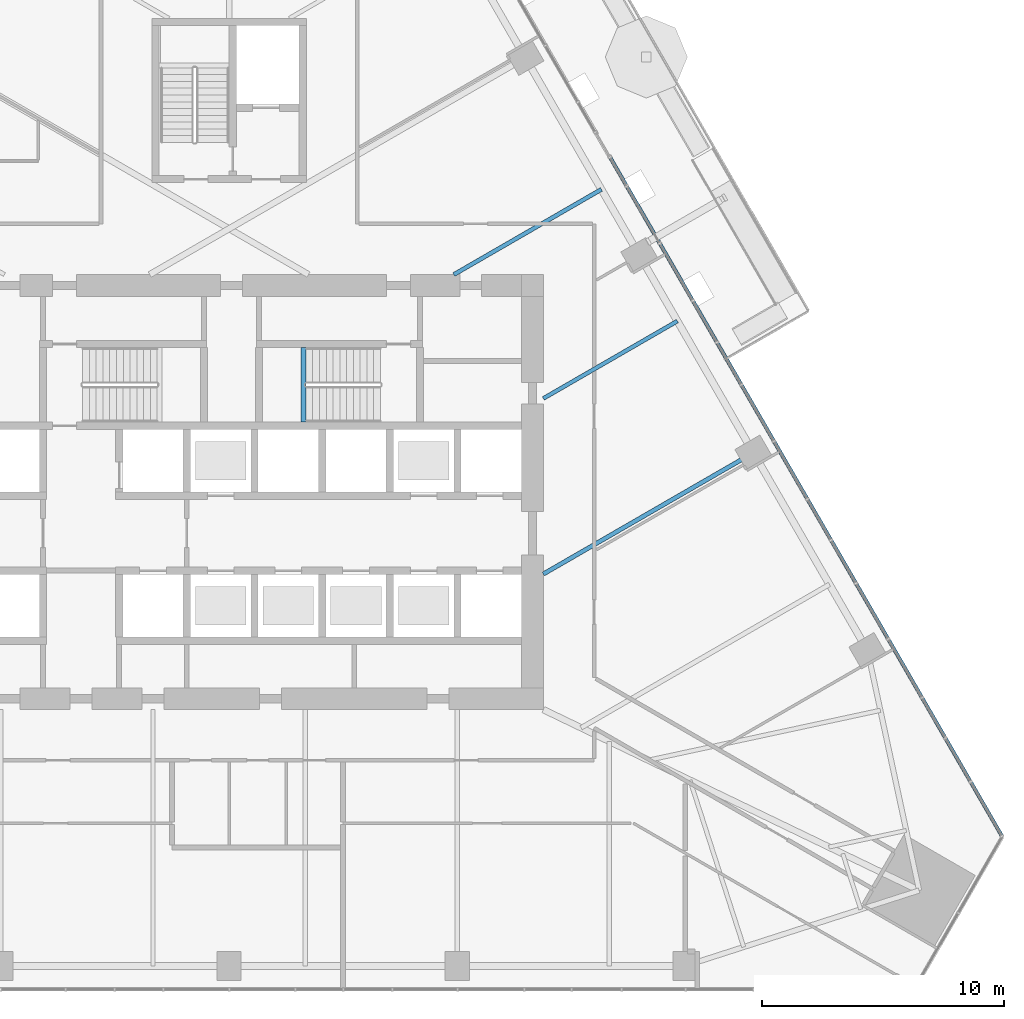
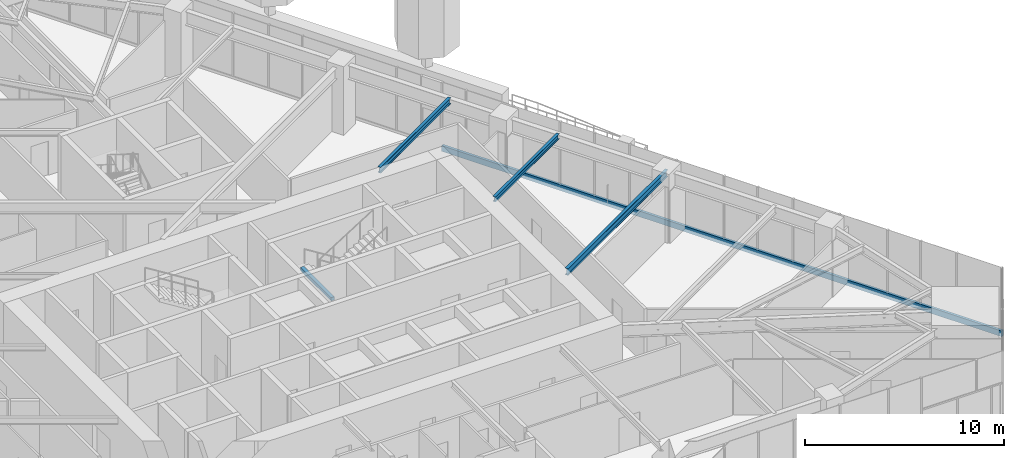
# One storey, part 7 of 25: 4 beams, 1 member, 1 element without a shape of its own.
"""IFC4 building model written with IfcOpenShell, lengths in metres."""

from ifc_helpers import new_model, si_unit, direction, frame, origin, origin_2d, place, context, subcontext, project, spatial, rectangle, i_section, extrude, material, layer, layer_set, material_profile, profile_set, type_object, element, aggregate, save


model = new_model("IFC4")

# Units and contexts
model_context = context("Model", 3, precision=1e-05, world=origin(), true_north=direction((0.0, 1.0)))
body_context = subcontext(model_context, "Body", "Model", "MODEL_VIEW")
ifc_project = project(units=[si_unit("LENGTHUNIT", "METRE"), si_unit("AREAUNIT", "SQUARE_METRE"), si_unit("VOLUMEUNIT", "CUBIC_METRE"), si_unit("PLANEANGLEUNIT", "RADIAN"), si_unit("MASSUNIT", "GRAM", prefix="KILO")], contexts=[model_context])

# Site, building, storey
site_placement = place(None, origin())
site = spatial("IfcSite", under=ifc_project, at=site_placement, CompositionType="ELEMENT")
building_placement = place(site_placement, origin())
building = spatial("IfcBuilding", under=site, at=building_placement, Name="Firuza Gate Tower and Library", CompositionType="ELEMENT")
storey_placement = place(building_placement, frame((0.0, 0.0, 86.199951171875)))
storey = spatial("IfcBuildingStorey", under=building, at=storey_placement, Name="L19", CompositionType="ELEMENT", Elevation=86.199951171875)

# Curtain wall, member
ifc_material_1 = material(Name="Aluminium 6063-T6", Category="aluminium")
ifc_layer = layer(ifc_material_1, 0.14990234375)
ifc_layer_set = layer_set([ifc_layer], Name="Unitised curtain wall, offices")
curtain_wall_type = type_object("IfcCurtainWallType", Name="Unitised curtain wall, offices", PredefinedType="NOTDEFINED", material=ifc_layer_set)
curtain_wall_placement = place(storey_placement, origin())
curtain_wall = element("IfcCurtainWall", 1, at=curtain_wall_placement, inside=storey, type_object=curtain_wall_type, Name="CW1 L19 E face", PredefinedType="NOTDEFINED")
ifc_material_2 = material(Name="Aluminium 6063-T6", Category="aluminium")
ifc_material_profile_1 = material_profile(ifc_material_2, rectangle(XDim=0.14990234375, YDim=0.35009765625, at=origin_2d()))
ifc_profile_set_1 = profile_set([ifc_material_profile_1], Name="Aluminium 6063-T6")
member_type = type_object("IfcMemberType", Name="Curtain wall transom 350x150", PredefinedType="USERDEFINED", material=ifc_profile_set_1)
member_placement = place(storey_placement, frame((106.9951171875, 60.734619140625, -0.02490234375), z_axis=(-0.49999948823, 0.866025699255, 0.0), x_axis=(-0.866025699255, -0.49999948823, 0.0)))
member = element("IfcMember", 2, at=member_placement, type_object=member_type, Name="Transom", ObjectType="TRANSOM", PredefinedType="USERDEFINED", context=body_context, shape_type="SweptSolid", body=[
    extrude(rectangle(XDim=0.14990234375, YDim=0.35009765625, at=origin_2d()), origin(), (0.0, 0.0, 1.0), 32.4716796875),
])
aggregate(curtain_wall, [member])

# Beams
ifc_material_3 = material(Name="Concrete C35/45", Category="concrete")
ifc_material_profile_2 = material_profile(ifc_material_3, rectangle(XDim=0.199951171875, YDim=0.199951171875, at=origin_2d()))
ifc_profile_set_2 = profile_set([ifc_material_profile_2], Name="Concrete C35/45")
beam_type_1 = type_object("IfcBeamType", Name="Stair landing bearer 200x200", PredefinedType="BEAM", material=ifc_profile_set_2)
beam_1_placement = place(storey_placement, frame((78.080078125, 80.97998046875, 1.800048828125), z_axis=(0.0, -1.0, 0.0), x_axis=(1.0, 0.0, 0.0)))
element("IfcBeam", 3, at=beam_1_placement, inside=storey, type_object=beam_type_1, Name="Landing bearer L19 stair 2", PredefinedType="BEAM", context=body_context, shape_type="SweptSolid", body=[
    extrude(rectangle(XDim=0.199951171875, YDim=0.199951171875, at=origin_2d()), origin(), (0.0, 0.0, 1.0), 3.080078125),
])
ifc_material_4 = material(Name="Steel S355", Category="steel")
ifc_material_profile_3 = material_profile(ifc_material_4, i_section(OverallWidth=0.1650390625, OverallDepth=0.31005859375, WebThickness=0.005859375, FlangeThickness=0.009765625, at=origin_2d()))
ifc_profile_set_3 = profile_set([ifc_material_profile_3], Name="Steel S355")
beam_type_2 = type_object("IfcBeamType", Name="W310x39 Floor beam", PredefinedType="JOIST", material=ifc_profile_set_3)
beam_2_placement = place(storey_placement, frame((93.54736328125, 82.076416015625, 3.844970703125), z_axis=(-0.866018023513, -0.500012782786, 0.0), x_axis=(0.500012782786, -0.866018023513, 0.0)))
element("IfcBeam", 4, at=beam_2_placement, inside=storey, type_object=beam_type_2, Name="Floor beam L19 s52", PredefinedType="JOIST", context=body_context, shape_type="SweptSolid", body=[
    extrude(i_section(OverallWidth=0.1650390625, OverallDepth=0.31005859375, WebThickness=0.005859375, FlangeThickness=0.009765625, at=origin_2d()), origin(), (0.0, 0.0, 1.0), 6.405517578125),
])
ifc_material_5 = material(Name="Steel S355", Category="steel")
ifc_material_profile_4 = material_profile(ifc_material_5, i_section(OverallWidth=0.1708984375, OverallDepth=0.35498046875, WebThickness=0.007080078125, FlangeThickness=0.01171875, at=origin_2d()))
ifc_profile_set_4 = profile_set([ifc_material_profile_4], Name="Steel S355")
beam_type_3 = type_object("IfcBeamType", Name="W360x51 Floor beam", PredefinedType="JOIST", material=ifc_profile_set_4)
beam_3_placement = place(storey_placement, frame((90.402099609375, 87.5244140625, 3.822509765625), z_axis=(-0.866026395587, -0.499998282143, 0.0), x_axis=(0.499998282143, -0.866026395587, 0.0)))
element("IfcBeam", 5, at=beam_3_placement, inside=storey, type_object=beam_type_3, Name="Floor beam L19 s53", PredefinedType="JOIST", context=body_context, shape_type="SweptSolid", body=[
    extrude(i_section(OverallWidth=0.1708984375, OverallDepth=0.35498046875, WebThickness=0.007080078125, FlangeThickness=0.01171875, at=origin_2d()), origin(), (0.0, 0.0, 1.0), 7.048828125),
])
ifc_material_6 = material(Name="Steel S355", Category="steel")
ifc_material_profile_5 = material_profile(ifc_material_6, i_section(OverallWidth=0.177978515625, OverallDepth=0.406982421875, WebThickness=0.0078125, FlangeThickness=0.0126953125, at=origin_2d()))
ifc_profile_set_5 = profile_set([ifc_material_profile_5], Name="Steel S355")
beam_type_4 = type_object("IfcBeamType", Name="W410x60 Floor beam", PredefinedType="JOIST", material=ifc_profile_set_5)
beam_4_placement = place(storey_placement, frame((96.69287109375, 76.62841796875, 3.796630859375), z_axis=(-0.866026811742, -0.499997561338, 0.0), x_axis=(0.499997561338, -0.866026811742, 0.0)))
element("IfcBeam", 6, at=beam_4_placement, inside=storey, type_object=beam_type_4, Name="Floor beam L19 s51", PredefinedType="JOIST", context=body_context, shape_type="SweptSolid", body=[
    extrude(i_section(OverallWidth=0.177978515625, OverallDepth=0.406982421875, WebThickness=0.0078125, FlangeThickness=0.0126953125, at=origin_2d()), origin(), (0.0, 0.0, 1.0), 10.03759765625),
])

save(model, "model.ifc")
